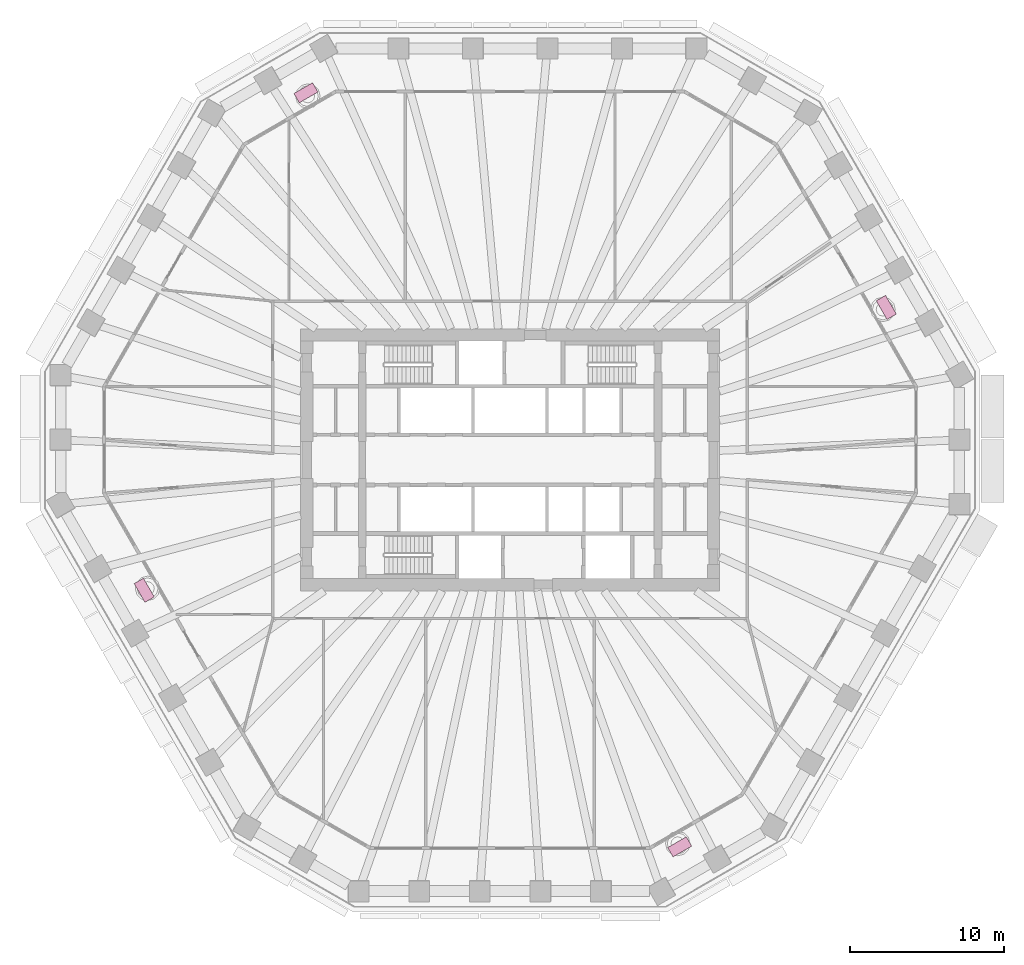
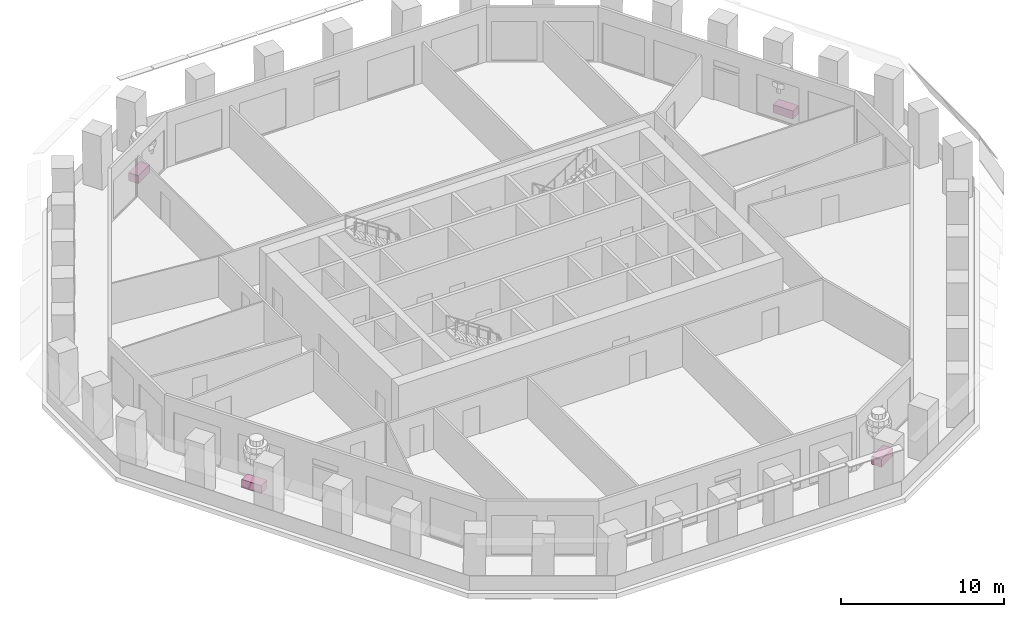
# One storey, part 11 of 12: 4 furniture elements.
"""IFC4 building model written with IfcOpenShell, lengths in metres."""

from ifc_helpers import new_model, si_unit, direction, frame, origin, origin_2d, place, context, subcontext, project, spatial, rectangle, extrude, material, type_object, element, save


model = new_model("IFC4")

# Units and contexts
model_context = context("Model", 3, precision=1e-05, world=origin(), true_north=direction((0.0, 1.0)))
body_context = subcontext(model_context, "Body", "Model", "MODEL_VIEW")
ifc_project = project(units=[si_unit("LENGTHUNIT", "METRE"), si_unit("AREAUNIT", "SQUARE_METRE"), si_unit("VOLUMEUNIT", "CUBIC_METRE"), si_unit("PLANEANGLEUNIT", "RADIAN"), si_unit("MASSUNIT", "GRAM", prefix="KILO")], contexts=[model_context])

# Site, building, storey
site_placement = place(None, origin())
site = spatial("IfcSite", under=ifc_project, at=site_placement, CompositionType="ELEMENT")
building_placement = place(site_placement, origin())
building = spatial("IfcBuilding", under=site, at=building_placement, Name="Frailejon Research Tower", CompositionType="ELEMENT")
storey_placement = place(building_placement, frame((0.0, 0.0, 122.0)))
storey = spatial("IfcBuildingStorey", under=building, at=storey_placement, Name="L26", CompositionType="ELEMENT", Elevation=122.0)

# Furniture
ifc_material = material(Name="Precast concrete C30/37 planter, terracotta", Category="masonry")
furniture_type = type_object("IfcFurnitureType", Name="Loggia planter 1400x700", AssemblyPlace="NOTDEFINED", PredefinedType="USERDEFINED", material=ifc_material)
for number, where, z_axis, x_axis, name in (
    (1, (24.42041015625, 9.89208984375, 0.0), (0.0, 0.0, 1.0), (-0.5, 0.866025403784, 0.0), "Planter L26"),
    (2, (-13.25146484375, 23.826904296875, 0.0), (0.0, 0.0, 1.0), (-0.866025403784, -0.5, 0.0), "Planter L26"),
    (3, (-23.747802734375, -8.4677734375, 0.0), (0.0, 0.0, 1.0), (0.5, -0.866025403784, 0.0), "Planter L26"),
    (4, (11.0087890625, -25.12158203125, 0.0), (0.0, 0.0, 1.0), (0.866025403784, 0.5, 0.0), "Planter L26"),
):
    element("IfcFurniture", number, at=place(storey_placement, frame(where, z_axis=z_axis, x_axis=x_axis)), inside=storey, type_object=furniture_type, Name=name, ObjectType="PLANTER", PredefinedType="USERDEFINED", context=body_context, shape_type="SweptSolid", body=[
        extrude(rectangle(XDim=1.39990234375, YDim=0.699951171875, at=origin_2d()), origin(), (0.0, 0.0, 1.0), 0.60009765625),
    ])

save(model, "model.ifc")
